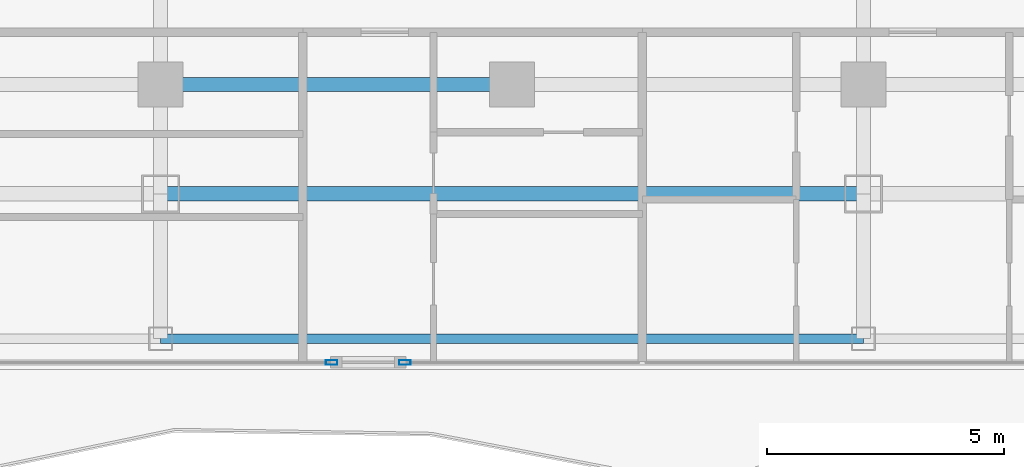
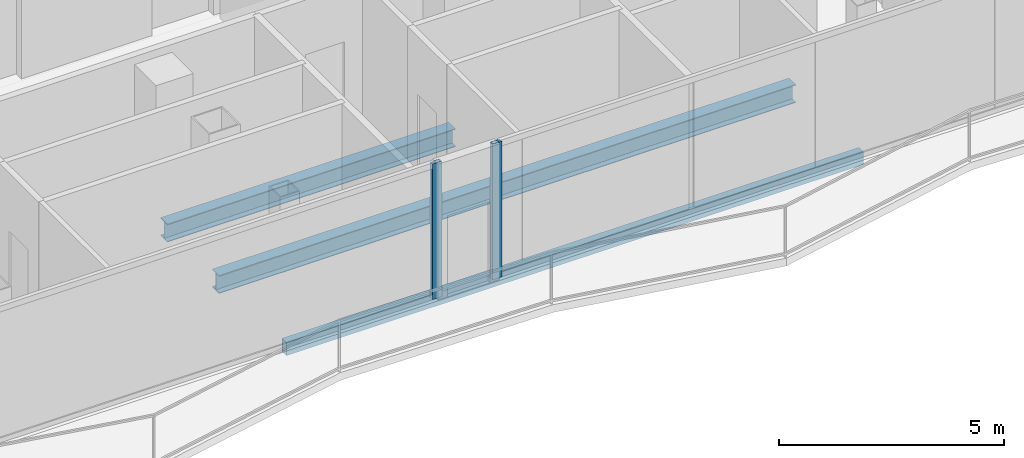
# One storey, part 4 of 22: 3 beams, 2 members, 2 elements without a shape of their own.
"""IFC4 building model written with IfcOpenShell, lengths in metres."""

from ifc_helpers import new_model, si_unit, direction, frame, origin, origin_2d, place, context, subcontext, project, spatial, hollow_rectangle, i_section, extrude, material, layer, layer_set, material_profile, profile_set, type_object, element, aggregate, save


model = new_model("IFC4")

# Units and contexts
model_context = context("Model", 3, precision=1e-05, world=origin(), true_north=direction((0.0, 1.0)))
body_context = subcontext(model_context, "Body", "Model", "MODEL_VIEW")
ifc_project = project(units=[si_unit("LENGTHUNIT", "METRE"), si_unit("AREAUNIT", "SQUARE_METRE"), si_unit("VOLUMEUNIT", "CUBIC_METRE"), si_unit("PLANEANGLEUNIT", "RADIAN"), si_unit("MASSUNIT", "GRAM", prefix="KILO")], contexts=[model_context])

# Site, building, storey
site_placement = place(None, origin())
site = spatial("IfcSite", under=ifc_project, at=site_placement, CompositionType="ELEMENT")
building_placement = place(site_placement, origin())
building = spatial("IfcBuilding", under=site, at=building_placement, Name="Khorvyn Point Tower", CompositionType="ELEMENT")
storey_placement = place(building_placement, frame((0.0, 0.0, 305.39990234375)))
storey = spatial("IfcBuildingStorey", under=building, at=storey_placement, Name="L75", CompositionType="ELEMENT", Elevation=305.39990234375)

# Curtain wall, member
ifc_material_1 = material(Name="Anodised aluminium 6063-T6 and laminated Low-E glass", Category="aluminium")
ifc_layer = layer(ifc_material_1, 0.18994140625)
ifc_layer_set = layer_set([ifc_layer], Name="Stick-Built High-Wind Curtain Wall CW-SYS-04")
curtain_wall_type = type_object("IfcCurtainWallType", Name="Stick-Built High-Wind Curtain Wall CW-SYS-04", PredefinedType="NOTDEFINED", material=ifc_layer_set)
curtain_wall_1_placement = place(storey_placement, origin())
curtain_wall_1 = element("IfcCurtainWall", 1, at=curtain_wall_1_placement, inside=storey, type_object=curtain_wall_type, Name="Curtain Wall", PredefinedType="NOTDEFINED")
ifc_material_2 = material(Name="Anodised aluminium 6063-T6", Category="aluminium")
ifc_material_profile_1 = material_profile(ifc_material_2, hollow_rectangle(XDim=0.10009765625, YDim=0.239990234375, WallThickness=0.0048828125, at=origin_2d()))
ifc_profile_set_1 = profile_set([ifc_material_profile_1], Name="Anodised aluminium 6063-T6 ALU-MUL-100x240")
member_type = type_object("IfcMemberType", Name="Anodised Aluminium 6063-T6 Mullion ALU-MUL-100x240", PredefinedType="MULLION", material=ifc_profile_set_1)
member_1_placement = place(storey_placement, frame((-2.257080078125, -20.64990234375, 0.0), z_axis=(0.0, 0.0, 1.0), x_axis=(0.0, -1.0, 0.0)))
member_1 = element("IfcMember", 2, at=member_1_placement, type_object=member_type, Name="Transom", PredefinedType="MULLION", context=body_context, shape_type="SweptSolid", body=[
    extrude(hollow_rectangle(XDim=0.10009765625, YDim=0.239990234375, WallThickness=0.0048828125, at=origin_2d()), origin(), (0.0, 0.0, 1.0), 3.68017578125),
])
aggregate(curtain_wall_1, [member_1])

curtain_wall_2_placement = place(storey_placement, origin())
curtain_wall_2 = element("IfcCurtainWall", 3, at=curtain_wall_2_placement, inside=storey, type_object=curtain_wall_type, Name="Curtain Wall", PredefinedType="NOTDEFINED")
member_2_placement = place(storey_placement, frame((-3.797119140625, -20.64990234375, 0.0), z_axis=(0.0, 0.0, 1.0), x_axis=(0.0, -1.0, 0.0)))
member_2 = element("IfcMember", 4, at=member_2_placement, type_object=member_type, Name="Transom", PredefinedType="MULLION", context=body_context, shape_type="SweptSolid", body=[
    extrude(hollow_rectangle(XDim=0.10009765625, YDim=0.239990234375, WallThickness=0.0048828125, at=origin_2d()), origin(), (0.0, 0.0, 1.0), 3.68017578125),
])
aggregate(curtain_wall_2, [member_2])

# Beams
ifc_material_3 = material(Name="Steel S355", Category="steel")
ifc_material_profile_2 = material_profile(ifc_material_3, i_section(OverallWidth=0.300048828125, OverallDepth=0.488037109375, WebThickness=0.010986328125, FlangeThickness=0.01806640625, at=origin_2d()))
ifc_profile_set_2 = profile_set([ifc_material_profile_2], Name="Steel S355 H488x300x11x18")
beam_type_1 = type_object("IfcBeamType", Name="Steel S355 Spandrel H488x300x11x18", PredefinedType="SPANDREL", material=ifc_profile_set_2)
beam_1_placement = place(storey_placement, frame((-7.39990234375, -14.800048828125, -0.4638671875), z_axis=(1.0, 0.0, 0.0), x_axis=(0.0, 1.0, 0.0)))
element("IfcBeam", 5, at=beam_1_placement, inside=storey, type_object=beam_type_1, Name="Beam", PredefinedType="SPANDREL", context=body_context, shape_type="SweptSolid", body=[
    extrude(i_section(OverallWidth=0.300048828125, OverallDepth=0.488037109375, WebThickness=0.010986328125, FlangeThickness=0.01806640625, at=origin_2d()), origin(), (0.0, 0.0, 1.0), 7.39990234375),
])
beam_2_placement = place(storey_placement, frame((-7.39990234375, -17.10009765625, -0.4638671875), z_axis=(1.0, 0.0, 0.0), x_axis=(0.0, 1.0, 0.0)))
element("IfcBeam", 6, at=beam_2_placement, inside=storey, type_object=beam_type_1, Name="Beam", PredefinedType="SPANDREL", context=body_context, shape_type="SweptSolid", body=[
    extrude(i_section(OverallWidth=0.300048828125, OverallDepth=0.488037109375, WebThickness=0.010986328125, FlangeThickness=0.01806640625, at=origin_2d()), origin(), (0.0, 0.0, 1.0), 14.7998046875),
])
ifc_material_profile_3 = material_profile(ifc_material_3, hollow_rectangle(XDim=0.199951171875, YDim=0.35009765625, WallThickness=0.013916015625, at=origin_2d()))
ifc_profile_set_3 = profile_set([ifc_material_profile_3], Name="Steel S355 RHS350x200x14")
beam_type_2 = type_object("IfcBeamType", Name="Steel S355 Spandrel RHS350x200x14", PredefinedType="SPANDREL", material=ifc_profile_set_3)
beam_3_placement = place(storey_placement, frame((-7.39990234375, -20.14990234375, -0.39501953125), z_axis=(1.0, 0.0, 0.0), x_axis=(0.0, 1.0, 0.0)))
element("IfcBeam", 7, at=beam_3_placement, inside=storey, type_object=beam_type_2, Name="Beam", PredefinedType="SPANDREL", context=body_context, shape_type="SweptSolid", body=[
    extrude(hollow_rectangle(XDim=0.199951171875, YDim=0.35009765625, WallThickness=0.013916015625, at=origin_2d()), origin(), (0.0, 0.0, 1.0), 14.7998046875),
])

save(model, "model.ifc")
